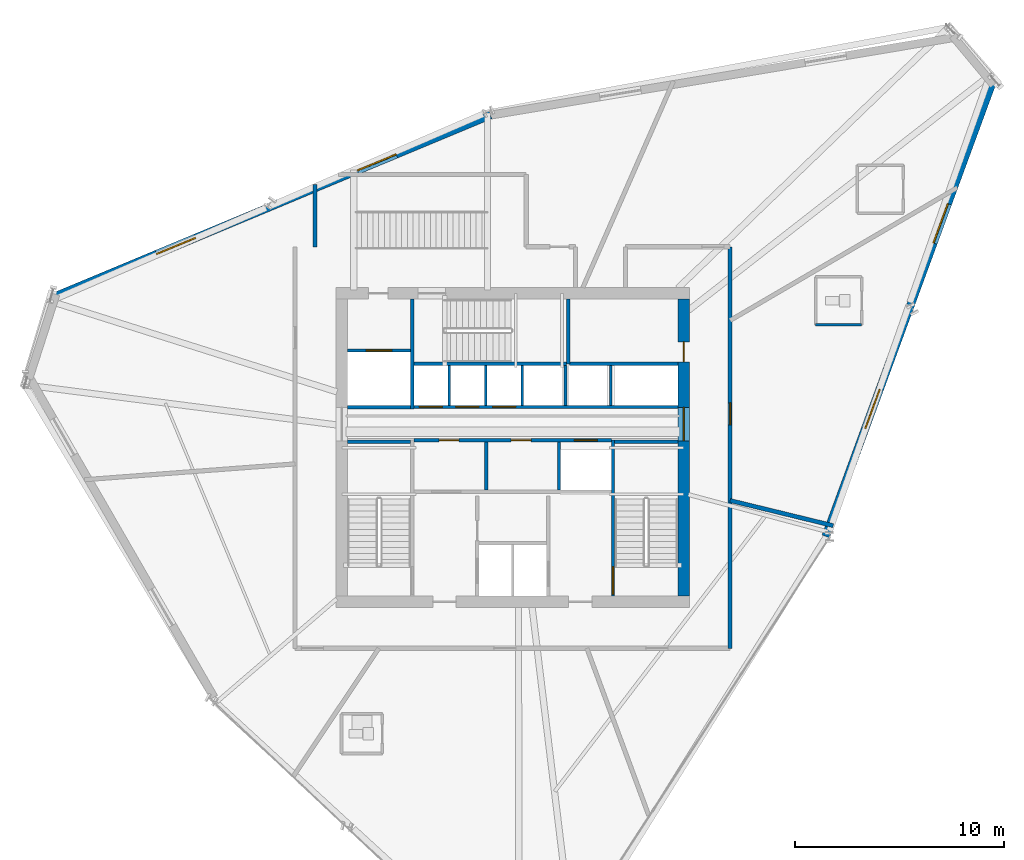
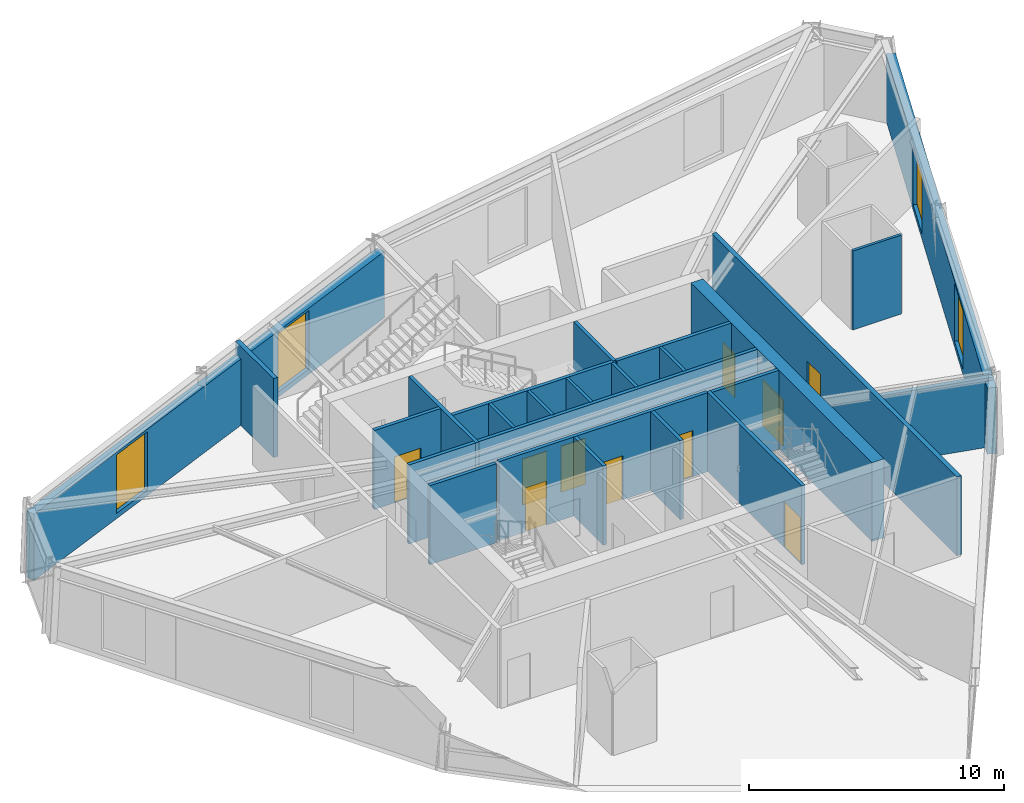
# One storey, part 10 of 14: 25 walls, 11 doors, 4 windows, 15 openings.
"""IFC4 building model written with IfcOpenShell, lengths in metres."""

from ifc_helpers import new_model, si_unit, direction, frame, frame_2d, origin, place, context, subcontext, project, spatial, rectangle, extrude, source, transform, mapped, material, layer, layer_set, type_object, type_shapes, element, fill, save


model = new_model("IFC4")

# Units and contexts
model_context = context("Model", 3, precision=1e-05, world=origin(), true_north=direction((0.0, 1.0)))
body_context = subcontext(model_context, "Body", "Model", "MODEL_VIEW")
ifc_project = project(units=[si_unit("LENGTHUNIT", "METRE"), si_unit("AREAUNIT", "SQUARE_METRE"), si_unit("VOLUMEUNIT", "CUBIC_METRE"), si_unit("PLANEANGLEUNIT", "RADIAN"), si_unit("MASSUNIT", "GRAM", prefix="KILO")], contexts=[model_context])

# Site, building, storey
site_placement = place(None, origin())
site = spatial("IfcSite", under=ifc_project, at=site_placement, CompositionType="ELEMENT")
building_placement = place(site_placement, origin())
building = spatial("IfcBuilding", under=site, at=building_placement, Name="Olszyna Solenne Hotel", CompositionType="ELEMENT")
storey_placement = place(building_placement, frame((0.0, 0.0, 196.300048828125)))
storey = spatial("IfcBuildingStorey", under=building, at=storey_placement, Name="L52", CompositionType="ELEMENT", Elevation=196.300048828125)

# Wall, openings, doors
ifc_material_1 = material(Name="Concrete C50/60", Category="concrete")
ifc_layer_1 = layer(ifc_material_1, 0.550048828125, Name="Concrete C50/60")
ifc_layer_set_1 = layer_set([ifc_layer_1], Name="Concrete C50/60")
wall_type_1 = type_object("IfcWallType", Name="WL-CR550", PredefinedType="SHEAR", material=ifc_layer_set_1)
wall_1_placement = place(storey_placement, frame((46.175048828125, 33.699951171875, 0.0), z_axis=(0.0, 0.0, 1.0), x_axis=(0.0, -1.0, 0.0)))
wall_1 = element("IfcWall", 1, at=wall_1_placement, inside=storey, type_object=wall_type_1, Name="Core shear wall WL-CR550 CRW-L52-E", PredefinedType="SHEAR", context=body_context, shape_type="SweptSolid", body=[
    extrude(rectangle(XDim=14.199951171875, YDim=0.550048828125, at=frame_2d((7.10009765625, 0.0))), origin(), (0.0, 0.0, 1.0), 3.780029296875),
])
opening_1_placement = place(wall_1_placement, frame((5.179931640625, 0.0, 0.0)))
opening_1 = element("IfcOpeningElement", 2, at=opening_1_placement, cuts=wall_1, Name="Opening LHD-L52-E", PredefinedType="OPENING", context=body_context, shape_type="SweptSolid", body=[
    extrude(rectangle(XDim=1.60009765625, YDim=2.199951171875, at=frame_2d((0.800048828125, 1.10009765625))), frame((0.0, 0.28515625, 0.0), z_axis=(0.0, -1.0, 0.0), x_axis=(1.0, 0.0, 0.0)), (0.0, 0.0, 1.0), 0.570068359375),
])
opening_2_placement = place(wall_1_placement, frame((2.050048828125, 0.0, 0.0)))
opening_2 = element("IfcOpeningElement", 3, at=opening_2_placement, cuts=wall_1, Name="Opening SVD-L52-BE", PredefinedType="OPENING", context=body_context, shape_type="SweptSolid", body=[
    extrude(rectangle(XDim=0.949951171875, YDim=2.10009765625, at=frame_2d((0.47509765625, 1.050048828125))), frame((0.0, 0.28515625, 0.0), z_axis=(0.0, -1.0, 0.0), x_axis=(1.0, 0.0, 0.0)), (0.0, 0.0, 1.0), 0.570068359375),
])
ifc_material_2 = material(Name="Steel S355J2", Category="steel")
door_type_1 = type_object("IfcDoorType", Name="DR-SV1", OperationType="NOTDEFINED", PredefinedType="DOOR", material=ifc_material_2)
shared_shape_1 = source(origin(), body_context, "Body", "SweptSolid", [
    extrude(rectangle(XDim=0.949951171875, YDim=2.10009765625, at=frame_2d((0.47509765625, 1.050048828125))), frame((0.0, 0.02490234375, 0.0), z_axis=(0.0, -1.0, 0.0), x_axis=(1.0, 0.0, 0.0)), (0.0, 0.0, 1.0), 0.050048828125),
])
type_shapes(door_type_1, [shared_shape_1])
door_1_placement = place(opening_2_placement, origin())
door_1 = element("IfcDoor", 4, at=door_1_placement, inside=storey, type_object=door_type_1, Name="Housekeeping core fire door SVD-L52-BE", OperationType="SINGLE_SWING_RIGHT", OverallHeight=2.10009765625, OverallWidth=0.949951171875, PredefinedType="DOOR", context=body_context, shape_type="MappedRepresentation", body=[
    mapped(shared_shape_1, transform((0.0, 0.0, 0.0), x_axis=(1.0, 0.0, 0.0), y_axis=(0.0, 1.0, 0.0), z_axis=(0.0, 0.0, 1.0), scale=1.0)),
])
fill(opening_2, door_1)
ifc_material_3 = material(Name="Timber hardwood", Category="wood")
door_type_2 = type_object("IfcDoorType", Name="DR-CR1", OperationType="DOUBLE_DOOR_SINGLE_SWING", PredefinedType="DOOR", material=ifc_material_3)
shared_shape_2 = source(origin(), body_context, "Body", "SweptSolid", [
    extrude(rectangle(XDim=1.60009765625, YDim=2.199951171875, at=frame_2d((0.800048828125, 1.10009765625))), frame((0.0, 0.02490234375, 0.0), z_axis=(0.0, -1.0, 0.0), x_axis=(1.0, 0.0, 0.0)), (0.0, 0.0, 1.0), 0.050048828125),
])
type_shapes(door_type_2, [shared_shape_2])
door_2_placement = place(opening_1_placement, origin())
door_2 = element("IfcDoor", 5, at=door_2_placement, inside=storey, type_object=door_type_2, Name="Passenger lift lobby East fire door LHD-L52-E", OperationType="DOUBLE_DOOR_SINGLE_SWING", OverallHeight=2.199951171875, OverallWidth=1.60009765625, PredefinedType="DOOR", context=body_context, shape_type="MappedRepresentation", body=[
    mapped(shared_shape_2, transform((0.0, 0.0, 0.0), x_axis=(1.0, 0.0, 0.0), y_axis=(0.0, 1.0, 0.0), z_axis=(0.0, 0.0, 1.0), scale=1.0)),
])
fill(opening_1, door_2)

# Wall, openings, windows
ifc_material_4 = material(Name="Terracotta cladding on precast concrete C45/55", Category="masonry")
ifc_layer_2 = layer(ifc_material_4, 0.3798828125, Name="Terracotta cladding on precast concrete C45/55")
ifc_layer_set_2 = layer_set([ifc_layer_2], Name="Terracotta cladding on precast concrete C45/55")
wall_type_2 = type_object("IfcWallType", Name="WL-EX380", PredefinedType="SOLIDWALL", material=ifc_layer_set_2)
wall_2_placement = place(storey_placement, frame((16.052978515625, 33.8017578125, 0.0), z_axis=(0.0, 0.0, 1.0), x_axis=(0.923180319116, 0.384367140111, 0.0)))
wall_2 = element("IfcWall", 6, at=wall_2_placement, inside=storey, type_object=wall_type_2, Name="Exterior terracotta-precast frame wall WL-EX380 EW-L52-07", PredefinedType="SOLIDWALL", context=body_context, shape_type="SweptSolid", body=[
    extrude(rectangle(XDim=22.626953125, YDim=0.3798828125, at=frame_2d((11.3134765625, 0.0))), origin(), (0.0, 0.0, 1.0), 3.171875),
])
opening_3_placement = place(wall_2_placement, frame((5.3359375, 0.0, 0.251953125)))
opening_3 = element("IfcOpeningElement", 7, at=opening_3_placement, cuts=wall_2, Name="Opening WN-L52-335", PredefinedType="OPENING", context=body_context, shape_type="SweptSolid", body=[
    extrude(rectangle(XDim=2.0, YDim=2.800048828125, at=frame_2d((1.0, 1.39990234375))), frame((0.0, 0.199951171875, 0.0), z_axis=(0.0, -1.0, 0.0), x_axis=(1.0, 0.0, 0.0)), (0.0, 0.0, 1.0), 0.39990234375),
])
opening_4_placement = place(wall_2_placement, frame((15.740966796875, 0.0, 0.251953125)))
opening_4 = element("IfcOpeningElement", 8, at=opening_4_placement, cuts=wall_2, Name="Opening WN-L52-336", PredefinedType="OPENING", context=body_context, shape_type="SweptSolid", body=[
    extrude(rectangle(XDim=2.0, YDim=2.800048828125, at=frame_2d((1.0, 1.39990234375))), frame((0.0, 0.199951171875, 0.0), z_axis=(0.0, -1.0, 0.0), x_axis=(1.0, 0.0, 0.0)), (0.0, 0.0, 1.0), 0.39990234375),
])
ifc_material_5 = material(Name="Low-E triple glazing", Category="glass")
window_type = type_object("IfcWindowType", Name="WN-SG1", PartitioningType="SINGLE_PANEL", PredefinedType="WINDOW", material=ifc_material_5)
shared_shape_3 = source(origin(), body_context, "Body", "SweptSolid", [
    extrude(rectangle(XDim=2.0, YDim=2.800048828125, at=frame_2d((1.0, 1.39990234375))), frame((0.0, 0.030029296875, 0.0), z_axis=(0.0, -1.0, 0.0), x_axis=(1.0, 0.0, 0.0)), (0.0, 0.0, 1.0), 0.06005859375),
])
type_shapes(window_type, [shared_shape_3])
window_1_placement = place(opening_3_placement, origin())
window_1 = element("IfcWindow", 9, at=window_1_placement, inside=storey, type_object=window_type, Name="Exterior facade window WN-SG1 WN-L52-335", OverallHeight=2.800048828125, OverallWidth=2.0, PartitioningType="SINGLE_PANEL", PredefinedType="WINDOW", context=body_context, shape_type="MappedRepresentation", body=[
    mapped(shared_shape_3, transform((0.0, 0.0, 0.0), x_axis=(1.0, 0.0, 0.0), y_axis=(0.0, 1.0, 0.0), z_axis=(0.0, 0.0, 1.0), scale=1.0)),
])
fill(opening_3, window_1)
window_2_placement = place(opening_4_placement, origin())
window_2 = element("IfcWindow", 10, at=window_2_placement, inside=storey, type_object=window_type, Name="Exterior facade window WN-SG1 WN-L52-336", OverallHeight=2.800048828125, OverallWidth=2.0, PartitioningType="SINGLE_PANEL", PredefinedType="WINDOW", context=body_context, shape_type="MappedRepresentation", body=[
    mapped(shared_shape_3, transform((0.0, 0.0, 0.0), x_axis=(1.0, 0.0, 0.0), y_axis=(0.0, 1.0, 0.0), z_axis=(0.0, 0.0, 1.0), scale=1.0)),
])
fill(opening_4, window_2)

wall_3_placement = place(storey_placement, frame((60.964111328125, 44.121826171875, 0.0), z_axis=(0.0, 0.0, 1.0), x_axis=(-0.344663194366, -0.938726415123, 0.0)))
wall_3 = element("IfcWall", 11, at=wall_3_placement, inside=storey, type_object=wall_type_2, Name="Exterior terracotta-precast frame wall WL-EX380 EW-L52-10", PredefinedType="SOLIDWALL", context=body_context, shape_type="SweptSolid", body=[
    extrude(rectangle(XDim=23.193359375, YDim=0.3798828125, at=frame_2d((11.5966796875, 0.0))), origin(), (0.0, 0.0, 1.0), 3.171875),
])
opening_5_placement = place(wall_3_placement, frame((6.243896484375, 0.0, 0.251953125)))
opening_5 = element("IfcOpeningElement", 12, at=opening_5_placement, cuts=wall_3, Name="Opening WN-L52-339", PredefinedType="OPENING", context=body_context, shape_type="SweptSolid", body=[
    extrude(rectangle(XDim=2.0, YDim=2.800048828125, at=frame_2d((1.0, 1.39990234375))), frame((0.0, 0.199951171875, 0.0), z_axis=(0.0, -1.0, 0.0), x_axis=(1.0, 0.0, 0.0)), (0.0, 0.0, 1.0), 0.39990234375),
])
opening_6_placement = place(wall_3_placement, frame((15.698974609375, 0.0, 0.251953125)))
opening_6 = element("IfcOpeningElement", 13, at=opening_6_placement, cuts=wall_3, Name="Opening WN-L52-340", PredefinedType="OPENING", context=body_context, shape_type="SweptSolid", body=[
    extrude(rectangle(XDim=2.0, YDim=2.800048828125, at=frame_2d((1.0, 1.39990234375))), frame((0.0, 0.199951171875, 0.0), z_axis=(0.0, -1.0, 0.0), x_axis=(1.0, 0.0, 0.0)), (0.0, 0.0, 1.0), 0.39990234375),
])
window_3_placement = place(opening_5_placement, origin())
window_3 = element("IfcWindow", 14, at=window_3_placement, inside=storey, type_object=window_type, Name="Exterior facade window WN-SG1 WN-L52-339", OverallHeight=2.800048828125, OverallWidth=2.0, PartitioningType="SINGLE_PANEL", PredefinedType="WINDOW", context=body_context, shape_type="MappedRepresentation", body=[
    mapped(shared_shape_3, transform((0.0, 0.0, 0.0), x_axis=(1.0, 0.0, 0.0), y_axis=(0.0, 1.0, 0.0), z_axis=(0.0, 0.0, 1.0), scale=1.0)),
])
fill(opening_5, window_3)
window_4_placement = place(opening_6_placement, origin())
window_4 = element("IfcWindow", 15, at=window_4_placement, inside=storey, type_object=window_type, Name="Exterior facade window WN-SG1 WN-L52-340", OverallHeight=2.800048828125, OverallWidth=2.0, PartitioningType="SINGLE_PANEL", PredefinedType="WINDOW", context=body_context, shape_type="MappedRepresentation", body=[
    mapped(shared_shape_3, transform((0.0, 0.0, 0.0), x_axis=(1.0, 0.0, 0.0), y_axis=(0.0, 1.0, 0.0), z_axis=(0.0, 0.0, 1.0), scale=1.0)),
])
fill(opening_6, window_4)

# Walls
ifc_material_6 = material(Name="Acoustic gypsum partition", Category="gypsum")
ifc_layer_3 = layer(ifc_material_6, 0.125, Name="Acoustic gypsum partition")
ifc_layer_set_3 = layer_set([ifc_layer_3], Name="Acoustic gypsum partition")
wall_type_3 = type_object("IfcWallType", Name="WL-PT125", PredefinedType="PARTITIONING", material=ifc_layer_set_3)
for number, where, z_axis, x_axis, name in (
    (16, (34.965087890625, 28.60009765625, 0.0), (0.0, 0.0, 1.0), (0.0, 1.0, 0.0), "Core shaft compartment wall CW-L52-DIVN349"),
    (17, (36.715087890625, 28.60009765625, 0.0), (0.0, 0.0, 1.0), (0.0, 1.0, 0.0), "Core shaft compartment wall CW-L52-DIVN367"),
    (18, (38.465087890625, 28.60009765625, 0.0), (0.0, 0.0, 1.0), (0.0, 1.0, 0.0), "Core shaft compartment wall CW-L52-DIVN384"),
    (19, (40.52490234375, 28.60009765625, 0.0), (0.0, 0.0, 1.0), (0.0, 1.0, 0.0), "Core shaft compartment wall CW-L52-DIVEX405"),
    (20, (42.699951171875, 28.60009765625, 0.0), (0.0, 0.0, 1.0), (0.0, 1.0, 0.0), "Core shaft compartment wall CW-L52-DIVEX427"),
):
    element("IfcWall", number, at=place(storey_placement, frame(where, z_axis=z_axis, x_axis=x_axis)), inside=storey, type_object=wall_type_3, Name=name, PredefinedType="PARTITIONING", context=body_context, shape_type="SweptSolid", body=[
        extrude(rectangle(XDim=1.919921875, YDim=0.125, at=frame_2d((0.9599609375, 0.0))), origin(), (0.0, 0.0, 1.0), 3.780029296875),
    ])
wall_4_placement = place(storey_placement, frame((52.490966796875, 32.465087890625, 0.0), z_axis=(0.0, 0.0, 1.0), x_axis=(1.0, 0.0, 0.0)))
element("IfcWall", 21, at=wall_4_placement, inside=storey, type_object=wall_type_3, Name="Interior acoustic partition WL-PT125 PW-L52-2938", PredefinedType="PARTITIONING", context=body_context, shape_type="SweptSolid", body=[
    extrude(rectangle(XDim=2.199951171875, YDim=0.125, at=frame_2d((1.10009765625, 0.0))), origin(), (0.0, 0.0, 1.0), 3.780029296875),
])
ifc_layer_4 = layer(ifc_material_6, 0.159912109375, Name="Acoustic gypsum partition")
ifc_layer_set_4 = layer_set([ifc_layer_4], Name="Acoustic gypsum partition")
wall_type_4 = type_object("IfcWallType", Name="WL-PT160", PredefinedType="PARTITIONING", material=ifc_layer_set_4)
wall_5_placement = place(storey_placement, frame((30.10009765625, 26.8798828125, 0.0), z_axis=(0.0, 0.0, 1.0), x_axis=(1.0, 0.0, 0.0)))
element("IfcWall", 22, at=wall_5_placement, inside=storey, type_object=wall_type_4, Name="Core shaft compartment wall CW-L52-ST1N", PredefinedType="PARTITIONING", context=body_context, shape_type="SweptSolid", body=[
    extrude(rectangle(XDim=3.02001953125, YDim=0.159912109375, at=frame_2d((1.510009765625, 0.0))), origin(), (0.0, 0.0, 1.0), 3.780029296875),
])

# Wall, opening, door
wall_6_placement = place(storey_placement, frame((42.800048828125, 26.9599609375, 0.0), z_axis=(0.0, 0.0, 1.0), x_axis=(0.0, -1.0, 0.0)))
wall_6 = element("IfcWall", 23, at=wall_6_placement, inside=storey, type_object=wall_type_4, Name="Core shaft compartment wall CW-L52-ST2W", PredefinedType="PARTITIONING", context=body_context, shape_type="SweptSolid", body=[
    extrude(rectangle(XDim=7.4599609375, YDim=0.159912109375, at=frame_2d((3.72998046875, 0.0))), origin(), (0.0, 0.0, 1.0), 3.780029296875),
])
opening_7_placement = place(wall_6_placement, frame((6.06005859375, 0.0, 0.0)))
opening_7 = element("IfcOpeningElement", 24, at=opening_7_placement, cuts=wall_6, Name="Opening STD-L52-02", PredefinedType="OPENING", context=body_context, shape_type="SweptSolid", body=[
    extrude(rectangle(XDim=1.320068359375, YDim=2.199951171875, at=frame_2d((0.66015625, 1.10009765625))), frame((0.0, 0.08984375, 0.0), z_axis=(0.0, -1.0, 0.0), x_axis=(1.0, 0.0, 0.0)), (0.0, 0.0, 1.0), 0.179931640625),
])
door_type_3 = type_object("IfcDoorType", Name="DR-ST1", OperationType="NOTDEFINED", PredefinedType="DOOR", material=ifc_material_2)
shared_shape_4 = source(origin(), body_context, "Body", "SweptSolid", [
    extrude(rectangle(XDim=1.320068359375, YDim=2.199951171875, at=frame_2d((0.66015625, 1.10009765625))), frame((0.0, 0.02490234375, 0.0), z_axis=(0.0, -1.0, 0.0), x_axis=(1.0, 0.0, 0.0)), (0.0, 0.0, 1.0), 0.050048828125),
])
type_shapes(door_type_3, [shared_shape_4])
door_3_placement = place(opening_7_placement, origin())
door_3 = element("IfcDoor", 25, at=door_3_placement, inside=storey, type_object=door_type_3, Name="Pressurised exit stair ST2 fire door STD-L52-02", OperationType="SINGLE_SWING_RIGHT", OverallHeight=2.199951171875, OverallWidth=1.320068359375, PredefinedType="DOOR", context=body_context, shape_type="MappedRepresentation", body=[
    mapped(shared_shape_4, transform((0.0, 0.0, 0.0), x_axis=(1.0, 0.0, 0.0), y_axis=(0.0, 1.0, 0.0), z_axis=(0.0, 0.0, 1.0), scale=1.0)),
])
fill(opening_7, door_3)

# Walls
wall_7_placement = place(storey_placement, frame((42.8798828125, 26.8798828125, 0.0), z_axis=(0.0, 0.0, 1.0), x_axis=(1.0, 0.0, 0.0)))
element("IfcWall", 26, at=wall_7_placement, inside=storey, type_object=wall_type_4, Name="Core shaft compartment wall CW-L52-ST2N", PredefinedType="PARTITIONING", context=body_context, shape_type="SweptSolid", body=[
    extrude(rectangle(XDim=3.02001953125, YDim=0.159912109375, at=frame_2d((1.510009765625, 0.0))), origin(), (0.0, 0.0, 1.0), 3.780029296875),
])
wall_8_placement = place(storey_placement, frame((33.280029296875, 30.60009765625, 0.0), z_axis=(0.0, 0.0, 1.0), x_axis=(1.0, 0.0, 0.0)))
element("IfcWall", 27, at=wall_8_placement, inside=storey, type_object=wall_type_4, Name="Core shaft compartment wall CW-L52-ST3S", PredefinedType="PARTITIONING", context=body_context, shape_type="SweptSolid", body=[
    extrude(rectangle(XDim=7.300048828125, YDim=0.159912109375, at=frame_2d((3.64990234375, 0.0))), origin(), (0.0, 0.0, 1.0), 3.780029296875),
])
wall_9_placement = place(storey_placement, frame((40.659912109375, 30.60009765625, 0.0), z_axis=(0.0, 0.0, 1.0), x_axis=(0.0, 1.0, 0.0)))
element("IfcWall", 28, at=wall_9_placement, inside=storey, type_object=wall_type_4, Name="Core shaft compartment wall CW-L52-ST3E", PredefinedType="PARTITIONING", context=body_context, shape_type="SweptSolid", body=[
    extrude(rectangle(XDim=3.099853515625, YDim=0.159912109375, at=frame_2d((1.5498046875, 0.0))), origin(), (0.0, 0.0, 1.0), 3.780029296875),
])
wall_10_placement = place(storey_placement, frame((30.10009765625, 28.52001953125, 0.0), z_axis=(0.0, 0.0, 1.0), x_axis=(1.0, 0.0, 0.0)))
element("IfcWall", 29, at=wall_10_placement, inside=storey, type_object=wall_type_4, Name="Core shaft compartment wall CW-L52-SV1S", PredefinedType="PARTITIONING", context=body_context, shape_type="SweptSolid", body=[
    extrude(rectangle(XDim=3.02001953125, YDim=0.159912109375, at=frame_2d((1.510009765625, 0.0))), origin(), (0.0, 0.0, 1.0), 3.780029296875),
])
wall_11_placement = place(storey_placement, frame((33.199951171875, 28.43994140625, 0.0), z_axis=(0.0, 0.0, 1.0), x_axis=(0.0, 1.0, 0.0)))
element("IfcWall", 30, at=wall_11_placement, inside=storey, type_object=wall_type_4, Name="Core shaft compartment wall CW-L52-SV1E", PredefinedType="PARTITIONING", context=body_context, shape_type="SweptSolid", body=[
    extrude(rectangle(XDim=5.260009765625, YDim=0.159912109375, at=frame_2d((2.6298828125, 0.0))), origin(), (0.0, 0.0, 1.0), 3.780029296875),
])

# Wall, opening, door
wall_12_placement = place(storey_placement, frame((30.10009765625, 31.239990234375, 0.0), z_axis=(0.0, 0.0, 1.0), x_axis=(1.0, 0.0, 0.0)))
wall_12 = element("IfcWall", 31, at=wall_12_placement, inside=storey, type_object=wall_type_4, Name="Core shaft compartment wall CW-L52-SV1N", PredefinedType="PARTITIONING", context=body_context, shape_type="SweptSolid", body=[
    extrude(rectangle(XDim=3.02001953125, YDim=0.159912109375, at=frame_2d((1.510009765625, 0.0))), origin(), (0.0, 0.0, 1.0), 3.780029296875),
])
opening_8_placement = place(wall_12_placement, frame((0.909912109375, 0.0, 0.0)))
opening_8 = element("IfcOpeningElement", 32, at=opening_8_placement, cuts=wall_12, Name="Opening LD-L52-SV1", PredefinedType="OPENING", context=body_context, shape_type="SweptSolid", body=[
    extrude(rectangle(XDim=1.199951171875, YDim=2.199951171875, at=frame_2d((0.60009765625, 1.10009765625))), frame((0.0, 0.08984375, 0.0), z_axis=(0.0, -1.0, 0.0), x_axis=(1.0, 0.0, 0.0)), (0.0, 0.0, 1.0), 0.179931640625),
])
door_type_4 = type_object("IfcDoorType", Name="LD-FF1", OperationType="DOUBLE_DOOR_SLIDING", PredefinedType="DOOR", material=ifc_material_2)
shared_shape_5 = source(origin(), body_context, "Body", "SweptSolid", [
    extrude(rectangle(XDim=1.199951171875, YDim=2.199951171875, at=frame_2d((0.60009765625, 1.10009765625))), frame((0.0, 0.02490234375, 0.0), z_axis=(0.0, -1.0, 0.0), x_axis=(1.0, 0.0, 0.0)), (0.0, 0.0, 1.0), 0.050048828125),
])
type_shapes(door_type_4, [shared_shape_5])
door_4_placement = place(opening_8_placement, origin())
door_4 = element("IfcDoor", 33, at=door_4_placement, inside=storey, type_object=door_type_4, Name="Service lift SV1 sliding landing door LD-L52-SV1", OperationType="DOUBLE_DOOR_SLIDING", OverallHeight=2.199951171875, OverallWidth=1.199951171875, PredefinedType="DOOR", context=body_context, shape_type="MappedRepresentation", body=[
    mapped(shared_shape_5, transform((0.0, 0.0, 0.0), x_axis=(1.0, 0.0, 0.0), y_axis=(0.0, 1.0, 0.0), z_axis=(0.0, 0.0, 1.0), scale=1.0)),
])
fill(opening_8, door_4)

# Wall, openings, doors
wall_13_placement = place(storey_placement, frame((33.280029296875, 26.949951171875, 0.0), z_axis=(0.0, 0.0, 1.0), x_axis=(1.0, 0.0, 0.0)))
wall_13 = element("IfcWall", 34, at=wall_13_placement, inside=storey, type_object=wall_type_4, Name="Core shaft compartment wall CW-L52-LRS", PredefinedType="PARTITIONING", context=body_context, shape_type="SweptSolid", body=[
    extrude(rectangle(XDim=9.43994140625, YDim=0.159912109375, at=frame_2d((4.719970703125, 0.0))), origin(), (0.0, 0.0, 1.0), 3.780029296875),
])
opening_9_placement = place(wall_13_placement, frame((1.199951171875, 0.0, 0.0)))
opening_9 = element("IfcOpeningElement", 35, at=opening_9_placement, cuts=wall_13, Name="Opening SVD-L52-L71", PredefinedType="OPENING", context=body_context, shape_type="SweptSolid", body=[
    extrude(rectangle(XDim=0.949951171875, YDim=2.10009765625, at=frame_2d((0.47509765625, 1.050048828125))), frame((0.0, 0.08984375, 0.0), z_axis=(0.0, -1.0, 0.0), x_axis=(1.0, 0.0, 0.0)), (0.0, 0.0, 1.0), 0.179931640625),
])
opening_10_placement = place(wall_13_placement, frame((4.64990234375, 0.0, 0.0)))
opening_10 = element("IfcOpeningElement", 36, at=opening_10_placement, cuts=wall_13, Name="Opening SVD-L52-L72", PredefinedType="OPENING", context=body_context, shape_type="SweptSolid", body=[
    extrude(rectangle(XDim=0.949951171875, YDim=2.10009765625, at=frame_2d((0.47509765625, 1.050048828125))), frame((0.0, 0.08984375, 0.0), z_axis=(0.0, -1.0, 0.0), x_axis=(1.0, 0.0, 0.0)), (0.0, 0.0, 1.0), 0.179931640625),
])
opening_11_placement = place(wall_13_placement, frame((7.669921875, 0.0, 0.0)))
opening_11 = element("IfcOpeningElement", 37, at=opening_11_placement, cuts=wall_13, Name="Opening LD-L52-PL5", PredefinedType="OPENING", context=body_context, shape_type="SweptSolid", body=[
    extrude(rectangle(XDim=1.10009765625, YDim=2.199951171875, at=frame_2d((0.550048828125, 1.10009765625))), frame((0.0, 0.08984375, 0.0), z_axis=(0.0, -1.0, 0.0), x_axis=(1.0, 0.0, 0.0)), (0.0, 0.0, 1.0), 0.179931640625),
])
door_5_placement = place(opening_9_placement, origin())
door_5 = element("IfcDoor", 38, at=door_5_placement, inside=storey, type_object=door_type_1, Name="Recaptured core room fire door SVD-L52-L71", OperationType="SINGLE_SWING_LEFT", OverallHeight=2.10009765625, OverallWidth=0.949951171875, PredefinedType="DOOR", context=body_context, shape_type="MappedRepresentation", body=[
    mapped(shared_shape_1, transform((0.0, 0.0, 0.0), x_axis=(1.0, 0.0, 0.0), y_axis=(0.0, 1.0, 0.0), z_axis=(0.0, 0.0, 1.0), scale=1.0)),
])
fill(opening_9, door_5)
door_6_placement = place(opening_10_placement, origin())
door_6 = element("IfcDoor", 39, at=door_6_placement, inside=storey, type_object=door_type_1, Name="Recaptured core room fire door SVD-L52-L72", OperationType="SINGLE_SWING_RIGHT", OverallHeight=2.10009765625, OverallWidth=0.949951171875, PredefinedType="DOOR", context=body_context, shape_type="MappedRepresentation", body=[
    mapped(shared_shape_1, transform((0.0, 0.0, 0.0), x_axis=(1.0, 0.0, 0.0), y_axis=(0.0, 1.0, 0.0), z_axis=(0.0, 0.0, 1.0), scale=1.0)),
])
fill(opening_10, door_6)
door_type_5 = type_object("IfcDoorType", Name="LD-P1", OperationType="DOUBLE_DOOR_SLIDING", PredefinedType="DOOR", material=ifc_material_2)
shared_shape_6 = source(origin(), body_context, "Body", "SweptSolid", [
    extrude(rectangle(XDim=1.10009765625, YDim=2.199951171875, at=frame_2d((0.550048828125, 1.10009765625))), frame((0.0, 0.02490234375, 0.0), z_axis=(0.0, -1.0, 0.0), x_axis=(1.0, 0.0, 0.0)), (0.0, 0.0, 1.0), 0.050048828125),
])
type_shapes(door_type_5, [shared_shape_6])
door_7_placement = place(opening_11_placement, origin())
door_7 = element("IfcDoor", 40, at=door_7_placement, inside=storey, type_object=door_type_5, Name="Passenger lift PL5 sliding landing door LD-L52-PL5", OperationType="DOUBLE_DOOR_SLIDING", OverallHeight=2.199951171875, OverallWidth=1.10009765625, PredefinedType="DOOR", context=body_context, shape_type="MappedRepresentation", body=[
    mapped(shared_shape_6, transform((0.0, 0.0, 0.0), x_axis=(1.0, 0.0, 0.0), y_axis=(0.0, 1.0, 0.0), z_axis=(0.0, 0.0, 1.0), scale=1.0)),
])
fill(opening_11, door_7)

# Walls
for number, where, z_axis, x_axis, name in (
    (41, (36.72998046875, 24.56005859375, 0.0), (0.0, 0.0, 1.0), (0.0, 1.0, 0.0), "Core shaft compartment wall CW-L52-LV7DIV1"),
    (42, (40.215087890625, 24.56005859375, 0.0), (0.0, 0.0, 1.0), (0.0, 1.0, 0.0), "Core shaft compartment wall CW-L52-LV7DIV2"),
):
    element("IfcWall", number, at=place(storey_placement, frame(where, z_axis=z_axis, x_axis=x_axis)), inside=storey, type_object=wall_type_4, Name=name, PredefinedType="PARTITIONING", context=body_context, shape_type="SweptSolid", body=[
        extrude(rectangle(XDim=2.31005859375, YDim=0.159912109375, at=frame_2d((1.155029296875, 0.0))), origin(), (0.0, 0.0, 1.0), 3.780029296875),
    ])

# Wall, openings, doors
wall_14_placement = place(storey_placement, frame((33.280029296875, 28.5400390625, 0.0), z_axis=(0.0, 0.0, 1.0), x_axis=(1.0, 0.0, 0.0)))
wall_14 = element("IfcWall", 43, at=wall_14_placement, inside=storey, type_object=wall_type_4, Name="Core shaft compartment wall CW-L52-LRN", PredefinedType="PARTITIONING", context=body_context, shape_type="SweptSolid", body=[
    extrude(rectangle(XDim=12.619873046875, YDim=0.159912109375, at=frame_2d((6.31005859375, 0.0))), origin(), (0.0, 0.0, 1.0), 3.780029296875),
])
opening_12_placement = place(wall_14_placement, frame((0.260009765625, 0.0, 0.0)))
opening_12 = element("IfcOpeningElement", 44, at=opening_12_placement, cuts=wall_14, Name="Opening LD-L52-PL6", PredefinedType="OPENING", context=body_context, shape_type="SweptSolid", body=[
    extrude(rectangle(XDim=1.10009765625, YDim=2.199951171875, at=frame_2d((0.550048828125, 1.10009765625))), frame((0.0, 0.08984375, 0.0), z_axis=(0.0, -1.0, 0.0), x_axis=(1.0, 0.0, 0.0)), (0.0, 0.0, 1.0), 0.179931640625),
])
opening_13_placement = place(wall_14_placement, frame((2.010009765625, 0.0, 0.0)))
opening_13 = element("IfcOpeningElement", 45, at=opening_13_placement, cuts=wall_14, Name="Opening LD-L52-PL7", PredefinedType="OPENING", context=body_context, shape_type="SweptSolid", body=[
    extrude(rectangle(XDim=1.10009765625, YDim=2.199951171875, at=frame_2d((0.550048828125, 1.10009765625))), frame((0.0, 0.08984375, 0.0), z_axis=(0.0, -1.0, 0.0), x_axis=(1.0, 0.0, 0.0)), (0.0, 0.0, 1.0), 0.179931640625),
])
opening_14_placement = place(wall_14_placement, frame((3.760009765625, 0.0, 0.0)))
opening_14 = element("IfcOpeningElement", 46, at=opening_14_placement, cuts=wall_14, Name="Opening LD-L52-PL8", PredefinedType="OPENING", context=body_context, shape_type="SweptSolid", body=[
    extrude(rectangle(XDim=1.10009765625, YDim=2.199951171875, at=frame_2d((0.550048828125, 1.10009765625))), frame((0.0, 0.08984375, 0.0), z_axis=(0.0, -1.0, 0.0), x_axis=(1.0, 0.0, 0.0)), (0.0, 0.0, 1.0), 0.179931640625),
])
door_8_placement = place(opening_12_placement, origin())
door_8 = element("IfcDoor", 47, at=door_8_placement, inside=storey, type_object=door_type_5, Name="Passenger lift PL6 sliding landing door LD-L52-PL6", OperationType="DOUBLE_DOOR_SLIDING", OverallHeight=2.199951171875, OverallWidth=1.10009765625, PredefinedType="DOOR", context=body_context, shape_type="MappedRepresentation", body=[
    mapped(shared_shape_6, transform((0.0, 0.0, 0.0), x_axis=(1.0, 0.0, 0.0), y_axis=(0.0, 1.0, 0.0), z_axis=(0.0, 0.0, 1.0), scale=1.0)),
])
fill(opening_12, door_8)
door_9_placement = place(opening_13_placement, origin())
door_9 = element("IfcDoor", 48, at=door_9_placement, inside=storey, type_object=door_type_5, Name="Passenger lift PL7 sliding landing door LD-L52-PL7", OperationType="DOUBLE_DOOR_SLIDING", OverallHeight=2.199951171875, OverallWidth=1.10009765625, PredefinedType="DOOR", context=body_context, shape_type="MappedRepresentation", body=[
    mapped(shared_shape_6, transform((0.0, 0.0, 0.0), x_axis=(1.0, 0.0, 0.0), y_axis=(0.0, 1.0, 0.0), z_axis=(0.0, 0.0, 1.0), scale=1.0)),
])
fill(opening_13, door_9)
door_10_placement = place(opening_14_placement, origin())
door_10 = element("IfcDoor", 49, at=door_10_placement, inside=storey, type_object=door_type_5, Name="Passenger lift PL8 sliding landing door LD-L52-PL8", OperationType="DOUBLE_DOOR_SLIDING", OverallHeight=2.199951171875, OverallWidth=1.10009765625, PredefinedType="DOOR", context=body_context, shape_type="MappedRepresentation", body=[
    mapped(shared_shape_6, transform((0.0, 0.0, 0.0), x_axis=(1.0, 0.0, 0.0), y_axis=(0.0, 1.0, 0.0), z_axis=(0.0, 0.0, 1.0), scale=1.0)),
])
fill(opening_14, door_10)

# Walls
wall_15_placement = place(storey_placement, frame((40.719970703125, 30.60009765625, 0.0), z_axis=(0.0, 0.0, 1.0), x_axis=(1.0, 0.0, 0.0)))
element("IfcWall", 50, at=wall_15_placement, inside=storey, type_object=wall_type_4, Name="Core shaft compartment wall CW-L52-LRNTOP", PredefinedType="PARTITIONING", context=body_context, shape_type="SweptSolid", body=[
    extrude(rectangle(XDim=5.179931640625, YDim=0.159912109375, at=frame_2d((2.58984375, 0.0))), origin(), (0.0, 0.0, 1.0), 3.780029296875),
])
ifc_layer_5 = layer(ifc_material_6, 0.199951171875, Name="Acoustic gypsum partition")
ifc_layer_set_5 = layer_set([ifc_layer_5], Name="Acoustic gypsum partition")
wall_type_5 = type_object("IfcWallType", Name="WL-PT200", PredefinedType="PARTITIONING", material=ifc_layer_set_5)
wall_16_placement = place(storey_placement, frame((48.39990234375, 24.064697265625, 0.0), z_axis=(0.0, 0.0, 1.0), x_axis=(0.971549510185, -0.236836545447, 0.0)))
element("IfcWall", 51, at=wall_16_placement, inside=storey, type_object=wall_type_5, Name="Interior acoustic partition WL-PT200 PW-L52-2929", PredefinedType="PARTITIONING", context=body_context, shape_type="SweptSolid", body=[
    extrude(rectangle(XDim=5.07373046875, YDim=0.199951171875, at=frame_2d((2.536865234375, 0.0))), origin(), (0.0, 0.0, 1.0), 3.31494140625),
])

# Wall, opening, door
wall_17_placement = place(storey_placement, frame((48.39990234375, 17.0, 0.0), z_axis=(0.0, 0.0, 1.0), x_axis=(0.0, 1.0, 0.0)))
wall_17 = element("IfcWall", 52, at=wall_17_placement, inside=storey, type_object=wall_type_5, Name="Interior acoustic partition WL-PT200 PW-L52-2949", PredefinedType="PARTITIONING", context=body_context, shape_type="SweptSolid", body=[
    extrude(rectangle(XDim=19.199951171875, YDim=0.199951171875, at=frame_2d((9.60009765625, 0.0))), origin(), (0.0, 0.0, 1.0), 3.780029296875),
])
opening_15_placement = place(wall_17_placement, frame((10.68798828125, 0.0, 0.0)))
opening_15 = element("IfcOpeningElement", 53, at=opening_15_placement, cuts=wall_17, Name="Opening DR-L52-0721", PredefinedType="OPENING", context=body_context, shape_type="SweptSolid", body=[
    extrude(rectangle(XDim=1.050048828125, YDim=2.199951171875, at=frame_2d((0.52490234375, 1.10009765625))), frame((0.0, 0.10986328125, 0.0), z_axis=(0.0, -1.0, 0.0), x_axis=(1.0, 0.0, 0.0)), (0.0, 0.0, 1.0), 0.219970703125),
])
door_type_6 = type_object("IfcDoorType", Name="DR-RM2", OperationType="NOTDEFINED", PredefinedType="DOOR", material=ifc_material_3)
shared_shape_7 = source(origin(), body_context, "Body", "SweptSolid", [
    extrude(rectangle(XDim=1.050048828125, YDim=2.199951171875, at=frame_2d((0.52490234375, 1.10009765625))), frame((0.0, 0.02490234375, 0.0), z_axis=(0.0, -1.0, 0.0), x_axis=(1.0, 0.0, 0.0)), (0.0, 0.0, 1.0), 0.050048828125),
])
type_shapes(door_type_6, [shared_shape_7])
door_11_placement = place(opening_15_placement, origin())
door_11 = element("IfcDoor", 54, at=door_11_placement, inside=storey, type_object=door_type_6, Name="Botanical Atrium Suite Entrance Door DR-L52-0721", OperationType="SINGLE_SWING_RIGHT", OverallHeight=2.199951171875, OverallWidth=1.050048828125, PredefinedType="DOOR", context=body_context, shape_type="MappedRepresentation", body=[
    mapped(shared_shape_7, transform((0.0, 0.0, 0.0), x_axis=(1.0, 0.0, 0.0), y_axis=(0.0, 1.0, 0.0), z_axis=(0.0, 0.0, 1.0), scale=1.0)),
])
fill(opening_15, door_11)

# Wall
wall_18_placement = place(storey_placement, frame((28.550048828125, 36.199951171875, 0.0), z_axis=(0.0, 0.0, 1.0), x_axis=(0.0, 1.0, 0.0)))
element("IfcWall", 55, at=wall_18_placement, inside=storey, type_object=wall_type_5, Name="Interior acoustic partition WL-PT200 PW-L52-2950", PredefinedType="PARTITIONING", context=body_context, shape_type="SweptSolid", body=[
    extrude(rectangle(XDim=2.978271484375, YDim=0.199951171875, at=frame_2d((1.4892578125, 0.0))), origin(), (0.0, 0.0, 1.0), 3.780029296875),
])

save(model, "model.ifc")
